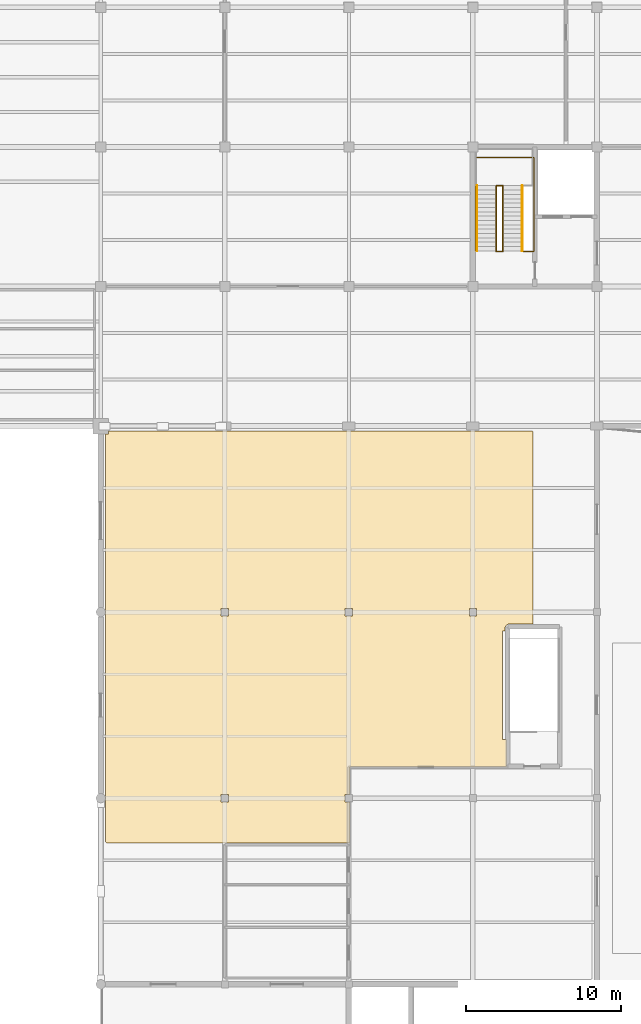
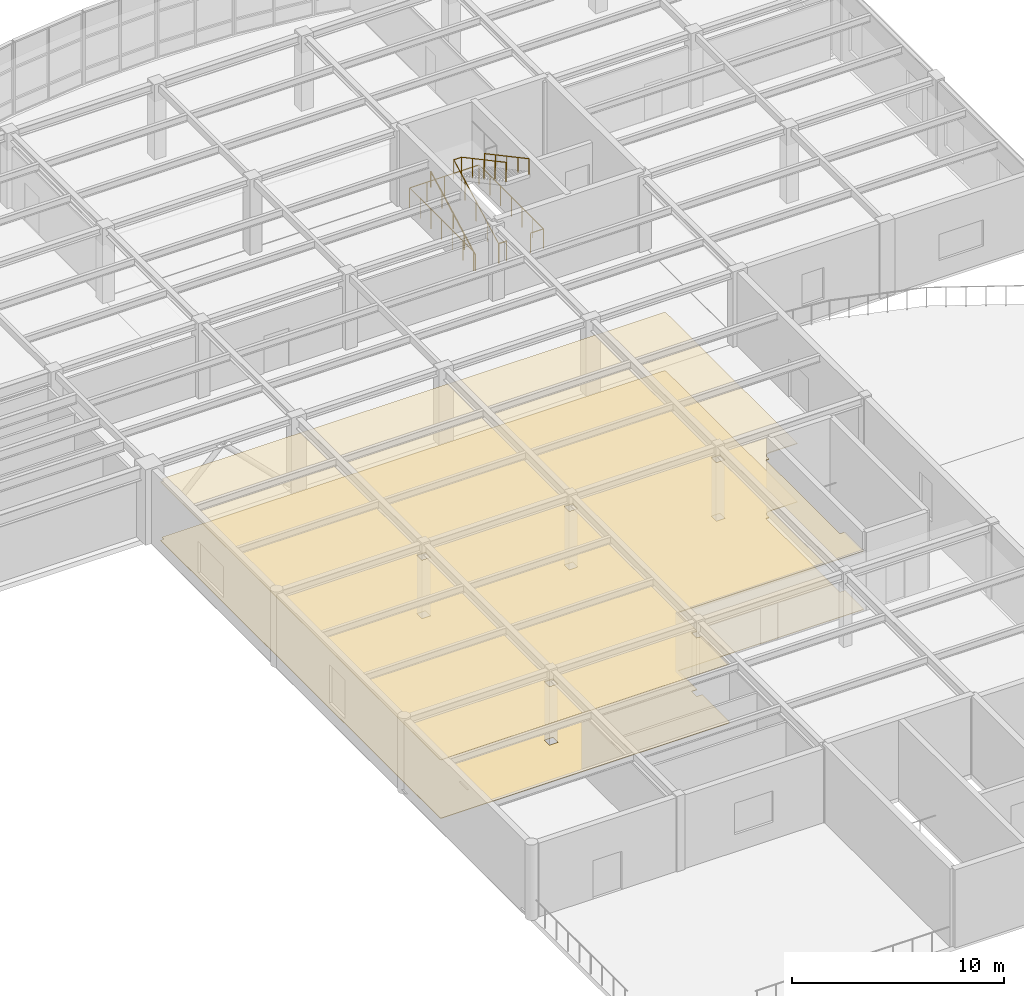
# One storey, part 14 of 16: 5 railings, 2 coverings.
"""IFC4 building model written with IfcOpenShell, lengths in metres."""

from ifc_helpers import new_model, si_unit, direction, frame, origin, origin_2d, place, context, subcontext, project, spatial, polyline, circle, outline, extrude, material, layer, layer_set, type_object, element, save


model = new_model("IFC4")

# Units and contexts
model_context = context("Model", 3, precision=1e-05, world=origin(), true_north=direction((0.0, 1.0)))
body_context = subcontext(model_context, "Body", "Model", "MODEL_VIEW")
ifc_project = project(units=[si_unit("LENGTHUNIT", "METRE"), si_unit("AREAUNIT", "SQUARE_METRE"), si_unit("VOLUMEUNIT", "CUBIC_METRE"), si_unit("PLANEANGLEUNIT", "RADIAN"), si_unit("MASSUNIT", "GRAM", prefix="KILO")], contexts=[model_context])

# Site, building, storey
site_placement = place(None, origin())
site = spatial("IfcSite", under=ifc_project, at=site_placement, CompositionType="ELEMENT")
building_placement = place(site_placement, origin())
building = spatial("IfcBuilding", under=site, at=building_placement, Name="Keelwater Ferry Terminal", CompositionType="ELEMENT")
storey_placement = place(building_placement, frame((0.0, 0.0, 15.0)))
storey = spatial("IfcBuildingStorey", under=building, at=storey_placement, Name="L03", CompositionType="ELEMENT", Elevation=15.0)

# Coverings
ifc_material_1 = material(Name="Perforated acoustic gypsum board ceiling", Category="gypsum")
ifc_layer_1 = layer(ifc_material_1, 0.044921875)
ifc_layer_set_1 = layer_set([ifc_layer_1], Name="Perforated acoustic gypsum board ceiling")
covering_type_1 = type_object("IfcCoveringType", Name="CL-AC Acoustic Baffle Ceiling", PredefinedType="CEILING", material=ifc_layer_set_1)
covering_1_placement = place(storey_placement, frame((0.0, 0.0, 3.35009765625)))
element("IfcCovering", 1, at=covering_1_placement, inside=storey, type_object=covering_type_1, Name="Port Heritage Exhibition Gallery Acoustic Ceiling", PredefinedType="CEILING", context=body_context, shape_type="SweptSolid", body=[
    extrude(outline(polyline([(158.179931640625, 68.092041015625), (158.177978515625, 68.083984375), (158.177001953125, 68.076904296875), (158.174072265625, 68.069091796875), (158.1708984375, 68.06201171875), (158.1669921875, 68.055908203125), (158.162109375, 68.049072265625), (158.156982421875, 68.04296875), (158.15087890625, 68.0380859375), (158.14404296875, 68.032958984375), (158.137939453125, 68.029052734375), (158.131103515625, 68.02587890625), (158.123046875, 68.02294921875), (158.115966796875, 68.02197265625), (158.10791015625, 68.02001953125), (158.10009765625, 68.02001953125), (148.080078125, 68.02001953125), (148.080078125, 66.2451171875), (148.080078125, 66.237060546875), (148.0791015625, 66.235107421875), (147.764892578125, 66.235107421875), (147.764892578125, 65.764892578125), (148.0791015625, 65.764892578125), (148.080078125, 65.762939453125), (148.080078125, 65.7548828125), (148.080078125, 63.199951171875), (148.080078125, 63.19189453125), (148.077880859375, 63.18408203125), (148.076904296875, 63.177001953125), (148.073974609375, 63.1689453125), (148.071044921875, 63.162109375), (148.06689453125, 63.156005859375), (148.06201171875, 63.14892578125), (148.056884765625, 63.14306640625), (148.051025390625, 63.137939453125), (148.0439453125, 63.133056640625), (148.0380859375, 63.12890625), (148.031005859375, 63.1259765625), (148.02294921875, 63.123046875), (148.01611328125, 63.1220703125), (148.008056640625, 63.1201171875), (148.0, 63.1201171875), (132.39990234375, 63.1201171875), (132.39208984375, 63.1201171875), (132.384033203125, 63.1220703125), (132.376953125, 63.123046875), (132.368896484375, 63.1259765625), (132.362060546875, 63.12890625), (132.35595703125, 63.133056640625), (132.34912109375, 63.137939453125), (132.343017578125, 63.14306640625), (132.337890625, 63.14892578125), (132.3330078125, 63.156005859375), (132.3291015625, 63.162109375), (132.325927734375, 63.1689453125), (132.322998046875, 63.177001953125), (132.322021484375, 63.18408203125), (132.320068359375, 63.19189453125), (132.320068359375, 63.199951171875), (132.320068359375, 89.47998046875), (132.320068359375, 89.488037109375), (132.321044921875, 89.489990234375), (132.510009765625, 89.489990234375), (132.510009765625, 89.678955078125), (132.511962890625, 89.679931640625), (132.52001953125, 89.679931640625), (159.800048828125, 89.679931640625), (159.80810546875, 89.679931640625), (159.81591796875, 89.677978515625), (159.822998046875, 89.677001953125), (159.8310546875, 89.674072265625), (159.837890625, 89.6708984375), (159.843994140625, 89.6669921875), (159.85107421875, 89.662109375), (159.85693359375, 89.656982421875), (159.862060546875, 89.65087890625), (159.866943359375, 89.64404296875), (159.87109375, 89.637939453125), (159.8740234375, 89.631103515625), (159.876953125, 89.623046875), (159.8779296875, 89.615966796875), (159.8798828125, 89.60791015625), (159.8798828125, 89.60009765625), (159.8798828125, 77.22998046875), (158.35009765625, 77.22998046875), (158.322998046875, 77.22900390625), (158.294921875, 77.22509765625), (158.26904296875, 77.218017578125), (158.242919921875, 77.208984375), (158.218017578125, 77.197021484375), (158.194091796875, 77.18310546875), (158.172119140625, 77.166015625), (158.152099609375, 77.14794921875), (158.134033203125, 77.1279296875), (158.116943359375, 77.10595703125), (158.10302734375, 77.08203125), (158.091064453125, 77.056884765625), (158.08203125, 77.031005859375), (158.074951171875, 77.0048828125), (158.071044921875, 76.97705078125), (158.070068359375, 76.949951171875), (158.070068359375, 76.780029296875), (157.89990234375, 76.780029296875), (157.89990234375, 69.800048828125), (158.179931640625, 69.800048828125), (158.179931640625, 68.10009765625), (158.179931640625, 68.092041015625)]), holes=[polyline([(139.764892578125, 65.764892578125), (140.235107421875, 65.764892578125), (140.235107421875, 66.235107421875), (139.764892578125, 66.235107421875), (139.764892578125, 65.764892578125)]), polyline([(139.764892578125, 77.764892578125), (140.235107421875, 77.764892578125), (140.235107421875, 78.235107421875), (139.764892578125, 78.235107421875), (139.764892578125, 77.764892578125)]), polyline([(155.764892578125, 77.764892578125), (156.235107421875, 77.764892578125), (156.235107421875, 78.235107421875), (155.764892578125, 78.235107421875), (155.764892578125, 77.764892578125)]), polyline([(147.764892578125, 77.764892578125), (148.235107421875, 77.764892578125), (148.235107421875, 78.235107421875), (147.764892578125, 78.235107421875), (147.764892578125, 77.764892578125)])]), origin(), (0.0, 0.0, 1.0), 0.044921875),
])
ifc_material_2 = material(Name="Polished mineral terrazzo tile", Category="stone")
ifc_layer_2 = layer(ifc_material_2, 0.030029296875)
ifc_layer_set_2 = layer_set([ifc_layer_2], Name="Polished mineral terrazzo tile")
covering_type_2 = type_object("IfcCoveringType", Name="FL-TZ Marine Terrazzo Flooring", PredefinedType="FLOORING", material=ifc_layer_set_2)
covering_2_placement = place(storey_placement, origin())
element("IfcCovering", 2, at=covering_2_placement, inside=storey, type_object=covering_type_2, Name="Port Heritage Exhibition Gallery Terrazzo Floor", PredefinedType="FLOORING", context=body_context, shape_type="SweptSolid", body=[
    extrude(outline(polyline([(158.179931640625, 68.092041015625), (158.177978515625, 68.083984375), (158.177001953125, 68.076904296875), (158.174072265625, 68.069091796875), (158.1708984375, 68.06201171875), (158.1669921875, 68.055908203125), (158.162109375, 68.049072265625), (158.156982421875, 68.04296875), (158.15087890625, 68.0380859375), (158.14404296875, 68.032958984375), (158.137939453125, 68.029052734375), (158.131103515625, 68.02587890625), (158.123046875, 68.02294921875), (158.115966796875, 68.02197265625), (158.10791015625, 68.02001953125), (158.10009765625, 68.02001953125), (148.080078125, 68.02001953125), (148.080078125, 66.2451171875), (148.080078125, 66.237060546875), (148.0791015625, 66.235107421875), (147.764892578125, 66.235107421875), (147.764892578125, 65.764892578125), (148.0791015625, 65.764892578125), (148.080078125, 65.762939453125), (148.080078125, 65.7548828125), (148.080078125, 63.199951171875), (148.080078125, 63.19189453125), (148.077880859375, 63.18408203125), (148.076904296875, 63.177001953125), (148.073974609375, 63.1689453125), (148.071044921875, 63.162109375), (148.06689453125, 63.156005859375), (148.06201171875, 63.14892578125), (148.056884765625, 63.14306640625), (148.051025390625, 63.137939453125), (148.0439453125, 63.133056640625), (148.0380859375, 63.12890625), (148.031005859375, 63.1259765625), (148.02294921875, 63.123046875), (148.01611328125, 63.1220703125), (148.008056640625, 63.1201171875), (148.0, 63.1201171875), (132.39990234375, 63.1201171875), (132.39208984375, 63.1201171875), (132.384033203125, 63.1220703125), (132.376953125, 63.123046875), (132.368896484375, 63.1259765625), (132.362060546875, 63.12890625), (132.35595703125, 63.133056640625), (132.34912109375, 63.137939453125), (132.343017578125, 63.14306640625), (132.337890625, 63.14892578125), (132.3330078125, 63.156005859375), (132.3291015625, 63.162109375), (132.325927734375, 63.1689453125), (132.322998046875, 63.177001953125), (132.322021484375, 63.18408203125), (132.320068359375, 63.19189453125), (132.320068359375, 63.199951171875), (132.320068359375, 89.47998046875), (132.320068359375, 89.488037109375), (132.321044921875, 89.489990234375), (132.510009765625, 89.489990234375), (132.510009765625, 89.678955078125), (132.511962890625, 89.679931640625), (132.52001953125, 89.679931640625), (159.800048828125, 89.679931640625), (159.80810546875, 89.679931640625), (159.81591796875, 89.677978515625), (159.822998046875, 89.677001953125), (159.8310546875, 89.674072265625), (159.837890625, 89.6708984375), (159.843994140625, 89.6669921875), (159.85107421875, 89.662109375), (159.85693359375, 89.656982421875), (159.862060546875, 89.65087890625), (159.866943359375, 89.64404296875), (159.87109375, 89.637939453125), (159.8740234375, 89.631103515625), (159.876953125, 89.623046875), (159.8779296875, 89.615966796875), (159.8798828125, 89.60791015625), (159.8798828125, 89.60009765625), (159.8798828125, 77.22998046875), (158.35009765625, 77.22998046875), (158.322998046875, 77.22900390625), (158.294921875, 77.22509765625), (158.26904296875, 77.218017578125), (158.242919921875, 77.208984375), (158.218017578125, 77.197021484375), (158.194091796875, 77.18310546875), (158.172119140625, 77.166015625), (158.152099609375, 77.14794921875), (158.134033203125, 77.1279296875), (158.116943359375, 77.10595703125), (158.10302734375, 77.08203125), (158.091064453125, 77.056884765625), (158.08203125, 77.031005859375), (158.074951171875, 77.0048828125), (158.071044921875, 76.97705078125), (158.070068359375, 76.949951171875), (158.070068359375, 76.780029296875), (157.89990234375, 76.780029296875), (157.89990234375, 69.800048828125), (158.179931640625, 69.800048828125), (158.179931640625, 68.10009765625), (158.179931640625, 68.092041015625)]), holes=[polyline([(139.764892578125, 65.764892578125), (140.235107421875, 65.764892578125), (140.235107421875, 66.235107421875), (139.764892578125, 66.235107421875), (139.764892578125, 65.764892578125)]), polyline([(139.764892578125, 77.764892578125), (140.235107421875, 77.764892578125), (140.235107421875, 78.235107421875), (139.764892578125, 78.235107421875), (139.764892578125, 77.764892578125)]), polyline([(155.764892578125, 77.764892578125), (156.235107421875, 77.764892578125), (156.235107421875, 78.235107421875), (155.764892578125, 78.235107421875), (155.764892578125, 77.764892578125)]), polyline([(147.764892578125, 77.764892578125), (148.235107421875, 77.764892578125), (148.235107421875, 78.235107421875), (147.764892578125, 78.235107421875), (147.764892578125, 77.764892578125)])]), origin(), (0.0, 0.0, 1.0), 0.030029296875),
])

# Railings
ifc_material_3 = material(Name="Painted Steel S355", Category="steel")
railing_type_1 = type_object("IfcRailingType", Name="GR-115 Stair Well Guardrail", PredefinedType="GUARDRAIL", material=ifc_material_3)
railing_1_placement = place(storey_placement, frame((157.510009765625, 101.260009765625, 0.0)))
element("IfcRailing", 3, at=railing_1_placement, inside=storey, type_object=railing_type_1, Name="Stair ST-C3-L02 Slot Threshold Guard 57", PredefinedType="GUARDRAIL", context=body_context, shape_type="SweptSolid", body=[
    extrude(circle(Radius=0.02392578125, at=origin_2d()), frame((0.0, 0.0, 1.1259765625), z_axis=(1.0, 0.0, 0.0), x_axis=(0.0, 1.0, 0.0)), (0.0, 0.0, 1.0), 0.419921875),
    extrude(circle(Radius=0.02099609375, at=origin_2d()), origin(), (0.0, 0.0, 1.0), 1.101806640625),
    extrude(circle(Radius=0.02099609375, at=origin_2d()), frame((0.419921875, 0.0, 0.0)), (0.0, 0.0, 1.0), 1.101806640625),
])
railing_2_placement = place(storey_placement, frame((156.159912109375, 101.300048828125, 0.0)))
element("IfcRailing", 4, at=railing_2_placement, inside=storey, type_object=railing_type_1, Name="Stair ST-C3-L02 Shaft Perimeter Guard 58", PredefinedType="GUARDRAIL", context=body_context, shape_type="SweptSolid", body=[
    extrude(circle(Radius=0.02392578125, at=origin_2d()), frame((0.0, 0.0, 1.1259765625), z_axis=(0.0, 1.0, 0.0), x_axis=(-1.0, 0.0, 0.0)), (0.0, 0.0, 1.0), 6.02001953125),
    extrude(circle(Radius=0.02392578125, at=origin_2d()), frame((0.0, 6.02001953125, 1.1259765625), z_axis=(1.0, 0.0, 0.0), x_axis=(0.0, 1.0, 0.0)), (0.0, 0.0, 1.0), 3.780029296875),
    extrude(circle(Radius=0.02392578125, at=origin_2d()), frame((3.780029296875, 6.02001953125, 1.1259765625), z_axis=(0.0, -1.0, 0.0), x_axis=(1.0, 0.0, 0.0)), (0.0, 0.0, 1.0), 6.06005859375),
    extrude(circle(Radius=0.02392578125, at=origin_2d()), frame((3.780029296875, -0.0400390625, 1.1259765625), z_axis=(-1.0, 0.0, 0.0), x_axis=(0.0, -1.0, 0.0)), (0.0, 0.0, 1.0), 0.699951171875),
    extrude(circle(Radius=0.02099609375, at=origin_2d()), origin(), (0.0, 0.0, 1.0), 1.101806640625),
    extrude(circle(Radius=0.02099609375, at=origin_2d()), frame((0.0, 1.00341796875, 0.0)), (0.0, 0.0, 1.0), 1.101806640625),
    extrude(circle(Radius=0.02099609375, at=origin_2d()), frame((0.0, 2.006591796875, 0.0)), (0.0, 0.0, 1.0), 1.101806640625),
    extrude(circle(Radius=0.02099609375, at=origin_2d()), frame((0.0, 3.010009765625, 0.0)), (0.0, 0.0, 1.0), 1.101806640625),
    extrude(circle(Radius=0.02099609375, at=origin_2d()), frame((0.0, 4.013427734375, 0.0)), (0.0, 0.0, 1.0), 1.101806640625),
    extrude(circle(Radius=0.02099609375, at=origin_2d()), frame((0.0, 5.0166015625, 0.0)), (0.0, 0.0, 1.0), 1.101806640625),
    extrude(circle(Radius=0.02099609375, at=origin_2d()), frame((0.0, 6.02001953125, 0.0)), (0.0, 0.0, 1.0), 1.101806640625),
    extrude(circle(Radius=0.02099609375, at=origin_2d()), frame((0.945068359375, 6.02001953125, 0.0)), (0.0, 0.0, 1.0), 1.101806640625),
    extrude(circle(Radius=0.02099609375, at=origin_2d()), frame((1.89013671875, 6.02001953125, 0.0)), (0.0, 0.0, 1.0), 1.101806640625),
    extrude(circle(Radius=0.02099609375, at=origin_2d()), frame((2.8349609375, 6.02001953125, 0.0)), (0.0, 0.0, 1.0), 1.101806640625),
    extrude(circle(Radius=0.02099609375, at=origin_2d()), frame((3.780029296875, 6.02001953125, 0.0)), (0.0, 0.0, 1.0), 1.101806640625),
    extrude(circle(Radius=0.02099609375, at=origin_2d()), frame((3.780029296875, 5.010009765625, 0.0)), (0.0, 0.0, 1.0), 1.101806640625),
    extrude(circle(Radius=0.02099609375, at=origin_2d()), frame((3.780029296875, 4.0, 0.0)), (0.0, 0.0, 1.0), 1.101806640625),
    extrude(circle(Radius=0.02099609375, at=origin_2d()), frame((3.780029296875, 2.989990234375, 0.0)), (0.0, 0.0, 1.0), 1.101806640625),
    extrude(circle(Radius=0.02099609375, at=origin_2d()), frame((3.780029296875, 1.97998046875, 0.0)), (0.0, 0.0, 1.0), 1.101806640625),
    extrude(circle(Radius=0.02099609375, at=origin_2d()), frame((3.780029296875, 0.969970703125, 0.0)), (0.0, 0.0, 1.0), 1.101806640625),
    extrude(circle(Radius=0.02099609375, at=origin_2d()), frame((3.780029296875, -0.0400390625, 0.0)), (0.0, 0.0, 1.0), 1.101806640625),
    extrude(circle(Radius=0.02099609375, at=origin_2d()), frame((3.080078125, -0.0400390625, 0.0)), (0.0, 0.0, 1.0), 1.101806640625),
])
railing_3_placement = place(storey_placement, frame((157.510009765625, 101.300048828125, 0.0)))
element("IfcRailing", 5, at=railing_3_placement, inside=storey, type_object=railing_type_1, Name="Stair ST-C3-L03 Inner Well Guard 59", PredefinedType="GUARDRAIL", context=body_context, shape_type="SweptSolid", body=[
    extrude(circle(Radius=0.02392578125, at=origin_2d()), frame((0.0, 0.0, 1.1259765625), z_axis=(0.0, 0.881477684796, 0.472225678258), x_axis=(-1.0, 0.0, 0.0)), (0.0, 0.0, 1.0), 4.7646484375),
    extrude(circle(Radius=0.02392578125, at=origin_2d()), frame((0.0, 4.199951171875, 3.3759765625), z_axis=(1.0, 0.0, 0.0), x_axis=(0.0, 1.0, 0.0)), (0.0, 0.0, 1.0), 0.419921875),
    extrude(circle(Radius=0.02392578125, at=origin_2d()), frame((0.419921875, 4.199951171875, 3.3759765625), z_axis=(0.0, -0.881477684796, 0.472225678258), x_axis=(1.0, 0.0, 0.0)), (0.0, 0.0, 1.0), 4.7646484375),
    extrude(circle(Radius=0.02099609375, at=origin_2d()), origin(), (0.0, 0.0, 1.0), 1.101806640625),
    extrude(circle(Radius=0.02099609375, at=origin_2d()), frame((0.0, 1.050048828125, 0.5625)), (0.0, 0.0, 1.0), 1.101806640625),
    extrude(circle(Radius=0.02099609375, at=origin_2d()), frame((0.0, 2.10009765625, 1.125)), (0.0, 0.0, 1.0), 1.101806640625),
    extrude(circle(Radius=0.02099609375, at=origin_2d()), frame((0.0, 3.14990234375, 1.6875)), (0.0, 0.0, 1.0), 1.101806640625),
    extrude(circle(Radius=0.02099609375, at=origin_2d()), frame((0.0, 4.199951171875, 2.25)), (0.0, 0.0, 1.0), 1.101806640625),
    extrude(circle(Radius=0.02099609375, at=origin_2d()), frame((0.419921875, 4.199951171875, 2.25)), (0.0, 0.0, 1.0), 1.101806640625),
    extrude(circle(Radius=0.02099609375, at=origin_2d()), frame((0.419921875, 3.14990234375, 2.8125)), (0.0, 0.0, 1.0), 1.101806640625),
    extrude(circle(Radius=0.02099609375, at=origin_2d()), frame((0.419921875, 2.10009765625, 3.375)), (0.0, 0.0, 1.0), 1.101806640625),
    extrude(circle(Radius=0.02099609375, at=origin_2d()), frame((0.419921875, 1.050048828125, 3.9375)), (0.0, 0.0, 1.0), 1.101806640625),
    extrude(circle(Radius=0.02099609375, at=origin_2d()), frame((0.419921875, 0.0, 4.5)), (0.0, 0.0, 1.0), 1.101806640625),
])
ifc_material_4 = material(Name="Brushed stainless steel handrail", Category="steel")
railing_type_2 = type_object("IfcRailingType", Name="HR-920 Stair Pitch Handrail", PredefinedType="HANDRAIL", material=ifc_material_4)
railing_4_placement = place(storey_placement, frame((156.260009765625, 101.300048828125, 0.0)))
element("IfcRailing", 6, at=railing_4_placement, inside=storey, type_object=railing_type_2, Name="Stair ST-C3-L03 Flight 1 Handrail 61", PredefinedType="HANDRAIL", context=body_context, shape_type="SweptSolid", body=[
    extrude(circle(Radius=0.02392578125, at=origin_2d()), frame((0.0, 0.0, 0.89599609375), z_axis=(0.0, 0.881477684796, 0.472225678258), x_axis=(-1.0, 0.0, 0.0)), (0.0, 0.0, 1.0), 4.7646484375),
    extrude(circle(Radius=0.02099609375, at=origin_2d()), origin(), (0.0, 0.0, 1.0), 0.871826171875),
    extrude(circle(Radius=0.02099609375, at=origin_2d()), frame((0.0, 1.050048828125, 0.5625)), (0.0, 0.0, 1.0), 0.871826171875),
    extrude(circle(Radius=0.02099609375, at=origin_2d()), frame((0.0, 2.10009765625, 1.125)), (0.0, 0.0, 1.0), 0.871826171875),
    extrude(circle(Radius=0.02099609375, at=origin_2d()), frame((0.0, 3.14990234375, 1.6875)), (0.0, 0.0, 1.0), 0.871826171875),
    extrude(circle(Radius=0.02099609375, at=origin_2d()), frame((0.0, 4.199951171875, 2.25)), (0.0, 0.0, 1.0), 0.871826171875),
])
railing_5_placement = place(storey_placement, frame((159.179931640625, 105.5, 2.25)))
element("IfcRailing", 7, at=railing_5_placement, inside=storey, type_object=railing_type_2, Name="Stair ST-C3-L03 Flight 2 Handrail 62", PredefinedType="HANDRAIL", context=body_context, shape_type="SweptSolid", body=[
    extrude(circle(Radius=0.02392578125, at=origin_2d()), frame((0.0, 0.0, 0.89599609375), z_axis=(0.0, -0.881477684796, 0.472225678258), x_axis=(1.0, 0.0, 0.0)), (0.0, 0.0, 1.0), 4.7646484375),
    extrude(circle(Radius=0.02099609375, at=origin_2d()), origin(), (0.0, 0.0, 1.0), 0.871826171875),
    extrude(circle(Radius=0.02099609375, at=origin_2d()), frame((0.0, -1.050048828125, 0.5625)), (0.0, 0.0, 1.0), 0.871826171875),
    extrude(circle(Radius=0.02099609375, at=origin_2d()), frame((0.0, -2.10009765625, 1.125)), (0.0, 0.0, 1.0), 0.871826171875),
    extrude(circle(Radius=0.02099609375, at=origin_2d()), frame((0.0, -3.14990234375, 1.6875)), (0.0, 0.0, 1.0), 0.871826171875),
    extrude(circle(Radius=0.02099609375, at=origin_2d()), frame((0.0, -4.199951171875, 2.25)), (0.0, 0.0, 1.0), 0.871826171875),
])

save(model, "model.ifc")
